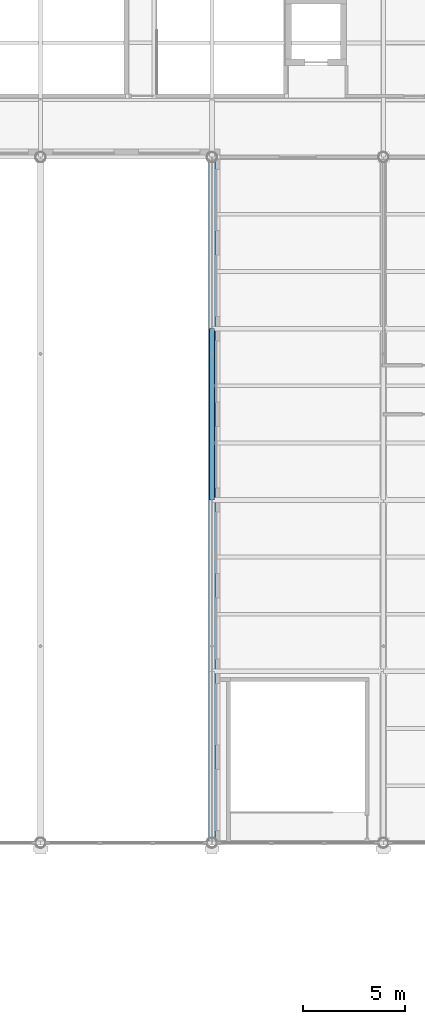
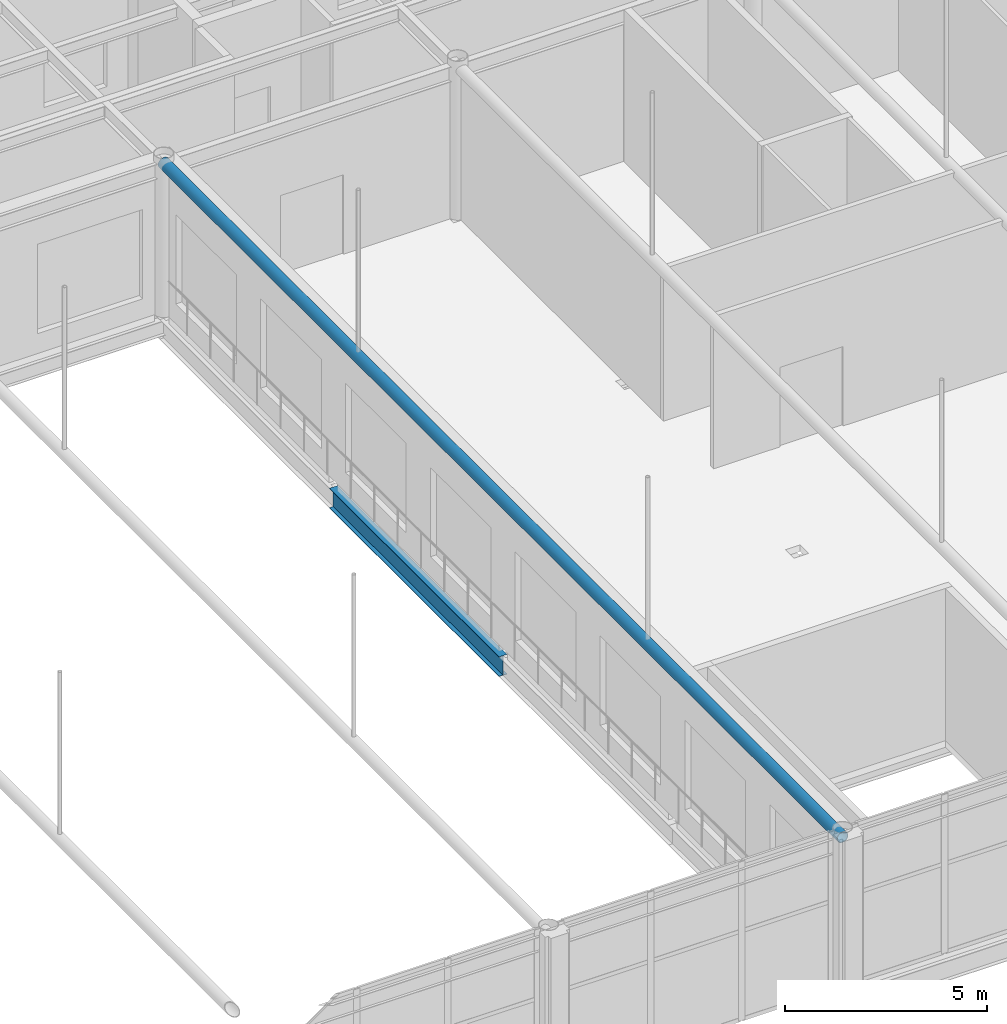
# One storey, part 59 of 167: 2 beams.
"""IFC4 building model written with IfcOpenShell, lengths in metres."""

from ifc_helpers import new_model, si_unit, direction, frame, origin, origin_2d, place, context, subcontext, project, spatial, hollow_circle, i_section, extrude, material, material_profile, profile_set, type_object, element, save


model = new_model("IFC4")

# Units and contexts
model_context = context("Model", 3, precision=1e-05, world=origin(), true_north=direction((0.0, 1.0)))
body_context = subcontext(model_context, "Body", "Model", "MODEL_VIEW")
ifc_project = project(units=[si_unit("LENGTHUNIT", "METRE"), si_unit("AREAUNIT", "SQUARE_METRE"), si_unit("VOLUMEUNIT", "CUBIC_METRE"), si_unit("PLANEANGLEUNIT", "RADIAN"), si_unit("MASSUNIT", "GRAM", prefix="KILO")], contexts=[model_context])

# Site, building, storey
site_placement = place(None, origin())
site = spatial("IfcSite", under=ifc_project, at=site_placement, CompositionType="ELEMENT")
building_placement = place(site_placement, origin())
building = spatial("IfcBuilding", under=site, at=building_placement, Name="Catenary Quay Ferry Terminal", CompositionType="ELEMENT")
storey_placement = place(building_placement, frame((0.0, 0.0, 6.0)))
storey = spatial("IfcBuildingStorey", under=building, at=storey_placement, Name="L01", CompositionType="ELEMENT", Elevation=6.0)

# Beams
ifc_material_1 = material(Name="Steel S355", Category="steel")
ifc_material_profile_1 = material_profile(ifc_material_1, i_section(OverallWidth=0.2275390625, OverallDepth=0.6025390625, WebThickness=0.010498046875, FlangeThickness=0.014892578125, at=origin_2d()), Name="UB 610x229x101")
ifc_profile_set_1 = profile_set([ifc_material_profile_1], Name="Steel S355")
beam_type_1 = type_object("IfcBeamType", Name="B3 UB 610x229x101", PredefinedType="BEAM", material=ifc_profile_set_1)
beam_1_placement = place(storey_placement, frame((58.800048828125, 84.0, -0.5009765625), z_axis=(0.0, 1.0, 0.0), x_axis=(-1.0, 0.0, 0.0)))
element("IfcBeam", 1, at=beam_1_placement, inside=storey, type_object=beam_type_1, Name="Beam B3-027", PredefinedType="BEAM", context=body_context, shape_type="SweptSolid", body=[
    extrude(i_section(OverallWidth=0.2275390625, OverallDepth=0.6025390625, WebThickness=0.010498046875, FlangeThickness=0.014892578125, at=origin_2d()), origin(), (0.0, 0.0, 1.0), 8.39990234375),
])
ifc_material_2 = material(Name="Steel S355", Category="steel")
ifc_material_profile_2 = material_profile(ifc_material_2, hollow_circle(Radius=0.161865234375, WallThickness=0.01611328125, at=origin_2d()), Name="CHS 323.9x16")
ifc_profile_set_2 = profile_set([ifc_material_profile_2], Name="Steel S355")
beam_type_2 = type_object("IfcBeamType", Name="TB3 CHS 323.9x16", PredefinedType="BEAM", material=ifc_profile_set_2)
beam_2_placement = place(storey_placement, frame((58.800048828125, 67.199951171875, 4.5), z_axis=(0.0, 1.0, 0.0), x_axis=(-1.0, 0.0, 0.0)))
element("IfcBeam", 2, at=beam_2_placement, inside=storey, type_object=beam_type_2, Name="Vault tie beam VA-05", PredefinedType="BEAM", context=body_context, shape_type="SweptSolid", body=[
    extrude(hollow_circle(Radius=0.161865234375, WallThickness=0.01611328125, at=origin_2d()), origin(), (0.0, 0.0, 1.0), 33.60009765625),
])

save(model, "model.ifc")
